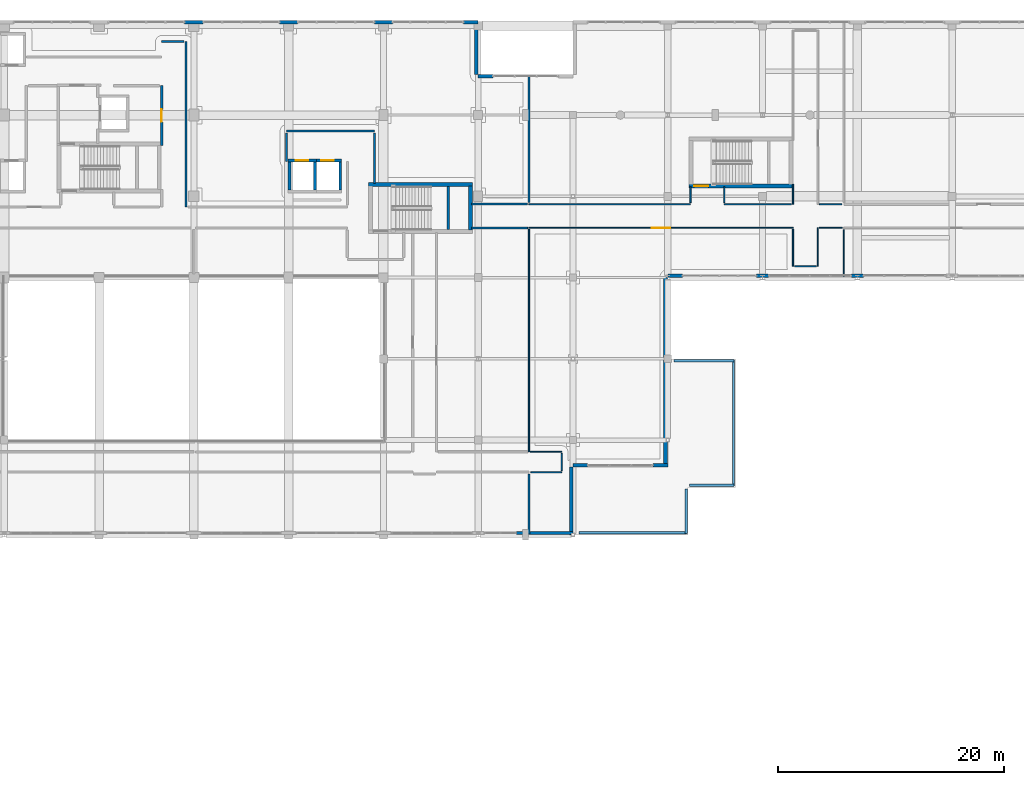
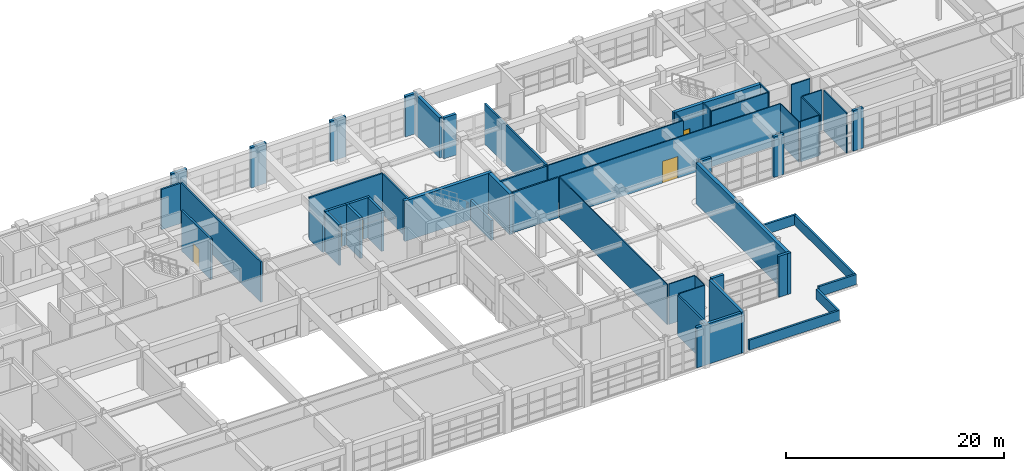
# One storey, part 110 of 123: 54 walls, 5 doors, 5 openings.
"""IFC4 building model written with IfcOpenShell, lengths in metres."""

from ifc_helpers import new_model, si_unit, direction, frame, frame_2d, origin, place, context, subcontext, project, spatial, rectangle, extrude, material, layer, layer_set, type_object, element, fill, save


model = new_model("IFC4")

# Units and contexts
model_context = context("Model", 3, precision=1e-05, world=origin(), true_north=direction((0.0, 1.0)))
body_context = subcontext(model_context, "Body", "Model", "MODEL_VIEW")
ifc_project = project(units=[si_unit("LENGTHUNIT", "METRE"), si_unit("AREAUNIT", "SQUARE_METRE"), si_unit("VOLUMEUNIT", "CUBIC_METRE"), si_unit("PLANEANGLEUNIT", "RADIAN"), si_unit("MASSUNIT", "GRAM", prefix="KILO")], contexts=[model_context])

# Site, building, storey
site_placement = place(None, origin())
site = spatial("IfcSite", under=ifc_project, at=site_placement, CompositionType="ELEMENT")
building_placement = place(site_placement, origin())
building = spatial("IfcBuilding", under=site, at=building_placement, Name="Quendrovan Civic Courthouse", CompositionType="ELEMENT")
storey_placement = place(building_placement, frame((0.0, 0.0, 5.39990234375)))
storey = spatial("IfcBuildingStorey", under=building, at=storey_placement, Name="L02", CompositionType="ELEMENT", Elevation=5.39990234375)

# Walls
ifc_material_1 = material(Name="Fire-rated gypsum stud partition")
ifc_layer_1 = layer(ifc_material_1, 0.159912109375, Name="Fire-rated gypsum stud partition")
ifc_layer_set_1 = layer_set([ifc_layer_1], Name="Fire-rated gypsum stud partition")
wall_type_1 = type_object("IfcWallType", Name="WL-COR-160", PredefinedType="PARTITIONING", material=ifc_layer_set_1)
wall_1_placement = place(storey_placement, frame((91.820068359375, 92.0, 0.0), z_axis=(0.0, 0.0, 1.0), x_axis=(1.0, 0.0, 0.0)))
element("IfcWall", 1, at=wall_1_placement, inside=storey, type_object=wall_type_1, Name="L02 Probate Case Registry Office Partition 0356", PredefinedType="PARTITIONING", context=body_context, shape_type="SweptSolid", body=[
    extrude(rectangle(XDim=4.949951171875, YDim=0.159912109375, at=frame_2d((2.47509765625, 0.0))), origin(), (0.0, 0.0, 1.0), 4.52001953125),
])
ifc_material_2 = material(Name="Concrete C45/55", Category="concrete")
ifc_layer_2 = layer(ifc_material_2, 0.35009765625, Name="Concrete C45/55")
ifc_layer_set_2 = layer_set([ifc_layer_2], Name="Concrete C45/55")
wall_type_2 = type_object("IfcWallType", Name="WL-CORE-350", PredefinedType="SHEAR", material=ifc_layer_set_2)
wall_2_placement = place(storey_placement, frame((91.909912109375, 95.8349609375, 0.0), z_axis=(0.0, 0.0, 1.0), x_axis=(-1.0, 0.0, 0.0)))
element("IfcWall", 2, at=wall_2_placement, inside=storey, type_object=wall_type_2, Name="L02 Core Shear Wall ST3-N", PredefinedType="SHEAR", context=body_context, shape_type="SweptSolid", body=[
    extrude(rectangle(XDim=9.219970703125, YDim=0.35009765625, at=frame_2d((4.60986328125, 0.0))), origin(), (0.0, 0.0, 1.0), 4.52001953125),
])
wall_3_placement = place(storey_placement, frame((91.735107421875, 95.699951171875, 0.0), z_axis=(0.0, 0.0, 1.0), x_axis=(0.0, -1.0, 0.0)))
element("IfcWall", 3, at=wall_3_placement, inside=storey, type_object=wall_type_2, Name="L02 Core Shear Wall ST3-E", PredefinedType="SHEAR", context=body_context, shape_type="SweptSolid", body=[
    extrude(rectangle(XDim=3.89990234375, YDim=0.35009765625, at=frame_2d((1.949951171875, 0.0))), origin(), (0.0, 0.0, 1.0), 4.52001953125),
])

# Wall, opening, door
wall_4_placement = place(storey_placement, frame((111.090087890625, 95.715087890625, 0.0), z_axis=(0.0, 0.0, 1.0), x_axis=(1.0, 0.0, 0.0)))
wall_4 = element("IfcWall", 4, at=wall_4_placement, inside=storey, type_object=wall_type_2, Name="L02 Core Shear Wall ST6-S", PredefinedType="SHEAR", context=body_context, shape_type="SweptSolid", body=[
    extrude(rectangle(XDim=9.219970703125, YDim=0.35009765625, at=frame_2d((4.60986328125, 0.0))), origin(), (0.0, 0.0, 1.0), 4.52001953125),
])
opening_1_placement = place(wall_4_placement, frame((0.449951171875, 0.0, 0.0)))
opening_1 = element("IfcOpeningElement", 5, at=opening_1_placement, cuts=wall_4, Name="Opening DS-ST6-L02", PredefinedType="OPENING", context=body_context, shape_type="SweptSolid", body=[
    extrude(rectangle(XDim=1.25, YDim=2.199951171875, at=frame_2d((0.625, 1.10009765625))), frame((0.0, 0.18505859375, 0.0), z_axis=(0.0, -1.0, 0.0), x_axis=(1.0, 0.0, 0.0)), (0.0, 0.0, 1.0), 0.3701171875),
])
ifc_material_3 = material(Name="Painted galvanized hollow-metal steel", Category="steel")
door_type_1 = type_object("IfcDoorType", Name="DR-STAIR-1250", OperationType="NOTDEFINED", PredefinedType="DOOR", material=ifc_material_3)
door_1_placement = place(opening_1_placement, origin())
door_1 = element("IfcDoor", 6, at=door_1_placement, inside=storey, type_object=door_type_1, Name="L02 Exit Stair ST6 Fire Door", OperationType="SINGLE_SWING_RIGHT", OverallHeight=2.199951171875, OverallWidth=1.25, PredefinedType="DOOR", context=body_context, shape_type="SweptSolid", body=[
    extrude(rectangle(XDim=1.25, YDim=2.199951171875, at=frame_2d((0.625, 1.10009765625))), frame((0.0, 0.02490234375, 0.0), z_axis=(0.0, -1.0, 0.0), x_axis=(1.0, 0.0, 0.0)), (0.0, 0.0, 1.0), 0.050048828125),
])
fill(opening_1, door_1)

# Walls
ifc_material_4 = material(Name="Acoustic gypsum and mineral wool partition")
ifc_layer_3 = layer(ifc_material_4, 0.179931640625, Name="Acoustic gypsum and mineral wool partition")
ifc_layer_set_3 = layer_set([ifc_layer_3], Name="Acoustic gypsum and mineral wool partition")
wall_type_3 = type_object("IfcWallType", Name="WL-CRT-AC180", PredefinedType="PARTITIONING", material=ifc_layer_set_3)
wall_5_placement = place(storey_placement, frame((66.5, 93.85009765625, 0.0), z_axis=(0.0, 0.0, 1.0), x_axis=(0.0, 1.0, 0.0)))
element("IfcWall", 7, at=wall_5_placement, inside=storey, type_object=wall_type_3, Name="L02 Trial Courtroom Partition 0320", PredefinedType="PARTITIONING", context=body_context, shape_type="SweptSolid", body=[
    extrude(rectangle(XDim=14.64990234375, YDim=0.179931640625, at=frame_2d((7.324951171875, 0.0))), origin(), (0.0, 0.0, 1.0), 4.52001953125),
])
wall_6_placement = place(storey_placement, frame((96.89990234375, 105.5400390625, 0.0), z_axis=(0.0, 0.0, 1.0), x_axis=(0.0, -1.0, 0.0)))
element("IfcWall", 8, at=wall_6_placement, inside=storey, type_object=wall_type_3, Name="L02 Trial Courtroom Partition 0331", PredefinedType="PARTITIONING", context=body_context, shape_type="SweptSolid", body=[
    extrude(rectangle(XDim=11.300048828125, YDim=0.179931640625, at=frame_2d((5.64990234375, 0.0))), origin(), (0.0, 0.0, 1.0), 4.52001953125),
])
wall_7_placement = place(storey_placement, frame((83.199951171875, 100.60009765625, 0.0), z_axis=(0.0, 0.0, 1.0), x_axis=(-1.0, 0.0, 0.0)))
element("IfcWall", 9, at=wall_7_placement, inside=storey, type_object=wall_type_3, Name="L02 Trial Courtroom Partition 0341", PredefinedType="PARTITIONING", context=body_context, shape_type="SweptSolid", body=[
    extrude(rectangle(XDim=7.800048828125, YDim=0.179931640625, at=frame_2d((3.89990234375, 0.0))), origin(), (0.0, 0.0, 1.0), 4.52001953125),
])
wall_8_placement = place(storey_placement, frame((96.89990234375, 70.179931640625, 0.0), z_axis=(0.0, 0.0, 1.0), x_axis=(0.0, -1.0, 0.0)))
element("IfcWall", 10, at=wall_8_placement, inside=storey, type_object=wall_type_3, Name="L02 Trial Courtroom Partition 0350", PredefinedType="PARTITIONING", context=body_context, shape_type="SweptSolid", body=[
    extrude(rectangle(XDim=5.31982421875, YDim=0.179931640625, at=frame_2d((2.659912109375, 0.0))), origin(), (0.0, 0.0, 1.0), 4.52001953125),
])
wall_9_placement = place(storey_placement, frame((96.760009765625, 94.10009765625, 0.0), z_axis=(0.0, 0.0, 1.0), x_axis=(-1.0, 0.0, 0.0)))
element("IfcWall", 11, at=wall_9_placement, inside=storey, type_object=wall_type_3, Name="L02 Trial Courtroom Partition 0355", PredefinedType="PARTITIONING", context=body_context, shape_type="SweptSolid", body=[
    extrude(rectangle(XDim=4.93994140625, YDim=0.179931640625, at=frame_2d((2.469970703125, 0.0))), origin(), (0.0, 0.0, 1.0), 4.52001953125),
])
wall_10_placement = place(storey_placement, frame((83.199951171875, 95.919921875, 0.0), z_axis=(0.0, 0.0, 1.0), x_axis=(0.0, 1.0, 0.0)))
element("IfcWall", 12, at=wall_10_placement, inside=storey, type_object=wall_type_3, Name="L02 Trial Courtroom Partition 0359", PredefinedType="PARTITIONING", context=body_context, shape_type="SweptSolid", body=[
    extrude(rectangle(XDim=4.510009765625, YDim=0.179931640625, at=frame_2d((2.2548828125, 0.0))), origin(), (0.0, 0.0, 1.0), 4.52001953125),
])
wall_11_placement = place(storey_placement, frame((75.39990234375, 100.429931640625, 0.0), z_axis=(0.0, 0.0, 1.0), x_axis=(0.0, -1.0, 0.0)))
element("IfcWall", 13, at=wall_11_placement, inside=storey, type_object=wall_type_3, Name="L02 Trial Courtroom Partition 0392", PredefinedType="PARTITIONING", context=body_context, shape_type="SweptSolid", body=[
    extrude(rectangle(XDim=2.530029296875, YDim=0.179931640625, at=frame_2d((1.26513671875, 0.0))), origin(), (0.0, 0.0, 1.0), 3.150146484375),
])
wall_12_placement = place(storey_placement, frame((66.330078125, 108.5, 0.0), z_axis=(0.0, 0.0, 1.0), x_axis=(-1.0, 0.0, 0.0)))
element("IfcWall", 14, at=wall_12_placement, inside=storey, type_object=wall_type_3, Name="L02 Trial Courtroom Partition 0402", PredefinedType="PARTITIONING", context=body_context, shape_type="SweptSolid", body=[
    extrude(rectangle(XDim=1.97998046875, YDim=0.179931640625, at=frame_2d((0.989990234375, 0.0))), origin(), (0.0, 0.0, 1.0), 4.52001953125),
])

# Wall, opening, door
ifc_material_5 = material(Name="Concrete C40/50", Category="concrete")
ifc_layer_4 = layer(ifc_material_5, 0.199951171875, Name="Concrete C40/50")
ifc_layer_set_4 = layer_set([ifc_layer_4], Name="Concrete C40/50")
wall_type_4 = type_object("IfcWallType", Name="WL-CUST-200", PredefinedType="PARTITIONING", material=ifc_layer_set_4)
wall_13_placement = place(storey_placement, frame((64.35009765625, 104.60009765625, 0.0), z_axis=(0.0, 0.0, 1.0), x_axis=(0.0, -1.0, 0.0)))
wall_13 = element("IfcWall", 15, at=wall_13_placement, inside=storey, type_object=wall_type_4, Name="L02 Case Docketing and Clerk Suite Partition 0334", PredefinedType="PARTITIONING", context=body_context, shape_type="SweptSolid", body=[
    extrude(rectangle(XDim=5.300048828125, YDim=0.199951171875, at=frame_2d((2.64990234375, 0.0))), origin(), (0.0, 0.0, 1.0), 4.52001953125),
])
opening_2_placement = place(wall_13_placement, frame((2.090087890625, 0.0, 0.0)))
opening_2 = element("IfcOpeningElement", 16, at=opening_2_placement, cuts=wall_13, Name="Opening D-L02-055", PredefinedType="OPENING", context=body_context, shape_type="SweptSolid", body=[
    extrude(rectangle(XDim=1.1201171875, YDim=2.14990234375, at=frame_2d((0.56005859375, 1.074951171875))), frame((0.0, 0.10986328125, 0.0), z_axis=(0.0, -1.0, 0.0), x_axis=(1.0, 0.0, 0.0)), (0.0, 0.0, 1.0), 0.219970703125),
])
ifc_material_6 = material(Name="Heavy-gauge security steel door", Category="steel")
door_type_2 = type_object("IfcDoorType", Name="DR-CUST-1120", OperationType="NOTDEFINED", PredefinedType="DOOR", material=ifc_material_6)
door_2_placement = place(opening_2_placement, origin())
door_2 = element("IfcDoor", 17, at=door_2_placement, inside=storey, type_object=door_type_2, Name="L02 Case Docketing and Clerk Suite Door D-L02-055", OperationType="SINGLE_SWING_RIGHT", OverallHeight=2.14990234375, OverallWidth=1.1201171875, PredefinedType="DOOR", context=body_context, shape_type="SweptSolid", body=[
    extrude(rectangle(XDim=1.1201171875, YDim=2.14990234375, at=frame_2d((0.56005859375, 1.074951171875))), frame((0.0, 0.02490234375, 0.0), z_axis=(0.0, -1.0, 0.0), x_axis=(1.0, 0.0, 0.0)), (0.0, 0.0, 1.0), 0.050048828125),
])
fill(opening_2, door_2)

# Walls
ifc_material_7 = material(Name="Precast concrete C45/55", Category="concrete")
ifc_layer_5 = layer(ifc_material_7, 0.2900390625, Name="Precast concrete C45/55")
ifc_layer_set_5 = layer_set([ifc_layer_5], Name="Precast concrete C45/55")
wall_type_5 = type_object("IfcWallType", Name="WL-EXT-PC290", PredefinedType="SOLIDWALL", material=ifc_layer_set_5)
wall_14_placement = place(storey_placement, frame((66.375, 110.235107421875, 0.0), z_axis=(0.0, 0.0, 1.0), x_axis=(1.0, 0.0, 0.0)))
element("IfcWall", 18, at=wall_14_placement, inside=storey, type_object=wall_type_5, Name="L02 Exterior Pier Wall 206", PredefinedType="SOLIDWALL", context=body_context, shape_type="SweptSolid", body=[
    extrude(rectangle(XDim=1.64990234375, YDim=0.2900390625, at=frame_2d((0.824951171875, 0.0))), origin(), (0.0, 0.0, 1.0), 4.52001953125),
])
wall_15_placement = place(storey_placement, frame((74.800048828125, 110.235107421875, 0.0), z_axis=(0.0, 0.0, 1.0), x_axis=(1.0, 0.0, 0.0)))
element("IfcWall", 19, at=wall_15_placement, inside=storey, type_object=wall_type_5, Name="L02 Exterior Pier Wall 207", PredefinedType="SOLIDWALL", context=body_context, shape_type="SweptSolid", body=[
    extrude(rectangle(XDim=1.599853515625, YDim=0.2900390625, at=frame_2d((0.7998046875, 0.0))), origin(), (0.0, 0.0, 1.0), 4.52001953125),
])
wall_16_placement = place(storey_placement, frame((83.199951171875, 110.235107421875, 0.0), z_axis=(0.0, 0.0, 1.0), x_axis=(1.0, 0.0, 0.0)))
element("IfcWall", 20, at=wall_16_placement, inside=storey, type_object=wall_type_5, Name="L02 Exterior Pier Wall 208", PredefinedType="SOLIDWALL", context=body_context, shape_type="SweptSolid", body=[
    extrude(rectangle(XDim=1.60009765625, YDim=0.2900390625, at=frame_2d((0.800048828125, 0.0))), origin(), (0.0, 0.0, 1.0), 4.52001953125),
])
wall_17_placement = place(storey_placement, frame((91.10009765625, 110.235107421875, 0.0), z_axis=(0.0, 0.0, 1.0), x_axis=(1.0, 0.0, 0.0)))
element("IfcWall", 21, at=wall_17_placement, inside=storey, type_object=wall_type_5, Name="L02 Exterior Pier Wall 209", PredefinedType="SOLIDWALL", context=body_context, shape_type="SweptSolid", body=[
    extrude(rectangle(XDim=1.2998046875, YDim=0.2900390625, at=frame_2d((0.64990234375, 0.0))), origin(), (0.0, 0.0, 1.0), 4.52001953125),
])
wall_18_placement = place(storey_placement, frame((92.235107421875, 110.39990234375, 0.0), z_axis=(0.0, 0.0, 1.0), x_axis=(0.0, -1.0, 0.0)))
element("IfcWall", 22, at=wall_18_placement, inside=storey, type_object=wall_type_5, Name="L02 Exterior Civic Portal Wall 210", PredefinedType="SOLIDWALL", context=body_context, shape_type="SweptSolid", body=[
    extrude(rectangle(XDim=4.7998046875, YDim=0.2900390625, at=frame_2d((2.39990234375, 0.0))), origin(), (0.0, 0.0, 1.0), 4.52001953125),
])
wall_19_placement = place(storey_placement, frame((92.39990234375, 105.43505859375, 0.0), z_axis=(0.0, 0.0, 1.0), x_axis=(1.0, 0.0, 0.0)))
element("IfcWall", 23, at=wall_19_placement, inside=storey, type_object=wall_type_5, Name="L02 Exterior Pier Wall 211", PredefinedType="SOLIDWALL", context=body_context, shape_type="SweptSolid", body=[
    extrude(rectangle(XDim=1.300048828125, YDim=0.2900390625, at=frame_2d((0.64990234375, 0.0))), origin(), (0.0, 0.0, 1.0), 4.580078125),
])
wall_20_placement = place(storey_placement, frame((126.537109375, 87.764892578125, 0.0), z_axis=(0.0, 0.0, 1.0), x_axis=(-1.0, 0.0, 0.0)))
element("IfcWall", 24, at=wall_20_placement, inside=storey, type_object=wall_type_5, Name="L02 Exterior Pier Wall 230", PredefinedType="SOLIDWALL", context=body_context, shape_type="SweptSolid", body=[
    extrude(rectangle(XDim=1.07421875, YDim=0.2900390625, at=frame_2d((0.537109375, 0.0))), origin(), (0.0, 0.0, 1.0), 4.52001953125),
])
wall_21_placement = place(storey_placement, frame((118.136962890625, 87.764892578125, 0.0), z_axis=(0.0, 0.0, 1.0), x_axis=(-1.0, 0.0, 0.0)))
element("IfcWall", 25, at=wall_21_placement, inside=storey, type_object=wall_type_5, Name="L02 Exterior Pier Wall 231", PredefinedType="SOLIDWALL", context=body_context, shape_type="SweptSolid", body=[
    extrude(rectangle(XDim=1.073974609375, YDim=0.2900390625, at=frame_2d((0.537109375, 0.0))), origin(), (0.0, 0.0, 1.0), 4.52001953125),
])
wall_22_placement = place(storey_placement, frame((110.5, 87.764892578125, 0.0), z_axis=(0.0, 0.0, 1.0), x_axis=(-1.0, 0.0, 0.0)))
element("IfcWall", 26, at=wall_22_placement, inside=storey, type_object=wall_type_5, Name="L02 Exterior Pier Wall 232", PredefinedType="SOLIDWALL", context=body_context, shape_type="SweptSolid", body=[
    extrude(rectangle(XDim=1.300048828125, YDim=0.2900390625, at=frame_2d((0.64990234375, 0.0))), origin(), (0.0, 0.0, 1.0), 4.52001953125),
])
for number, where, z_axis, x_axis, name in (
    (27, (109.199951171875, 70.965087890625, 0.0), (0.0, 0.0, 1.0), (-1.0, 0.0, 0.0), "L02 Exterior Pier Wall 234"),
    (28, (102.10009765625, 70.965087890625, 0.0), (0.0, 0.0, 1.0), (-1.0, 0.0, 0.0), "L02 Exterior Pier Wall 235"),
):
    element("IfcWall", number, at=place(storey_placement, frame(where, z_axis=z_axis, x_axis=x_axis)), inside=storey, type_object=wall_type_5, Name=name, PredefinedType="SOLIDWALL", context=body_context, shape_type="SweptSolid", body=[
        extrude(rectangle(XDim=1.300048828125, YDim=0.2900390625, at=frame_2d((0.64990234375, 0.0))), origin(), (0.0, 0.0, 1.0), 4.580078125),
    ])
wall_23_placement = place(storey_placement, frame((100.635009765625, 70.800048828125, 0.0), z_axis=(0.0, 0.0, 1.0), x_axis=(0.0, -1.0, 0.0)))
element("IfcWall", 29, at=wall_23_placement, inside=storey, type_object=wall_type_5, Name="L02 Exterior Civic Portal Wall 236", PredefinedType="SOLIDWALL", context=body_context, shape_type="SweptSolid", body=[
    extrude(rectangle(XDim=6.0, YDim=0.2900390625, at=frame_2d((3.0, 0.0))), origin(), (0.0, 0.0, 1.0), 4.580078125),
])
wall_24_placement = place(storey_placement, frame((100.800048828125, 64.965087890625, 0.0), z_axis=(0.0, 0.0, 1.0), x_axis=(-1.0, 0.0, 0.0)))
element("IfcWall", 30, at=wall_24_placement, inside=storey, type_object=wall_type_5, Name="L02 Exterior Pier Wall 237", PredefinedType="SOLIDWALL", context=body_context, shape_type="SweptSolid", body=[
    extrude(rectangle(XDim=5.025146484375, YDim=0.2900390625, at=frame_2d((2.5126953125, 0.0))), origin(), (0.0, 0.0, 1.0), 4.52001953125),
])

# Wall, opening, door
ifc_material_8 = material(Name="Lightweight gypsum partition")
ifc_layer_6 = layer(ifc_material_8, 0.10009765625, Name="Lightweight gypsum partition")
ifc_layer_set_6 = layer_set([ifc_layer_6], Name="Lightweight gypsum partition")
wall_type_6 = type_object("IfcWallType", Name="WL-INT-100", PredefinedType="PARTITIONING", material=ifc_layer_set_6)
wall_25_placement = place(storey_placement, frame((96.89990234375, 92.0, 0.0), z_axis=(0.0, 0.0, 1.0), x_axis=(1.0, 0.0, 0.0)))
wall_25 = element("IfcWall", 31, at=wall_25_placement, inside=storey, type_object=wall_type_6, Name="L02 Public Hall Upper Waiting Gallery Partition 0295", PredefinedType="PARTITIONING", context=body_context, shape_type="SweptSolid", body=[
    extrude(rectangle(XDim=23.400146484375, YDim=0.10009765625, at=frame_2d((11.7001953125, 0.0))), origin(), (0.0, 0.0, 1.0), 4.52001953125),
])
opening_3_placement = place(wall_25_placement, frame((10.8798828125, 0.0, 0.0)))
opening_3 = element("IfcOpeningElement", 32, at=opening_3_placement, cuts=wall_25, Name="Opening D-L02-048", PredefinedType="OPENING", context=body_context, shape_type="SweptSolid", body=[
    extrude(rectangle(XDim=1.639892578125, YDim=2.419921875, at=frame_2d((0.81982421875, 1.2099609375))), frame((0.0, 0.06005859375, 0.0), z_axis=(0.0, -1.0, 0.0), x_axis=(1.0, 0.0, 0.0)), (0.0, 0.0, 1.0), 0.1201171875),
])
ifc_material_9 = material(Name="Bronze-anodised aluminium glazed door", Category="aluminium")
door_type_3 = type_object("IfcDoorType", Name="DR-REG-1640", OperationType="NOTDEFINED", PredefinedType="DOOR", material=ifc_material_9)
door_3_placement = place(opening_3_placement, origin())
door_3 = element("IfcDoor", 33, at=door_3_placement, inside=storey, type_object=door_type_3, Name="L02 Public Hall Upper Waiting Gallery Door D-L02-048", OperationType="SINGLE_SWING_LEFT", OverallHeight=2.419921875, OverallWidth=1.639892578125, PredefinedType="DOOR", context=body_context, shape_type="SweptSolid", body=[
    extrude(rectangle(XDim=1.639892578125, YDim=2.419921875, at=frame_2d((0.81982421875, 1.2099609375))), frame((0.0, 0.02490234375, 0.0), z_axis=(0.0, -1.0, 0.0), x_axis=(1.0, 0.0, 0.0)), (0.0, 0.0, 1.0), 0.050048828125),
])
fill(opening_3, door_3)

# Walls
wall_26_placement = place(storey_placement, frame((96.89990234375, 72.14990234375, 0.0), z_axis=(0.0, 0.0, 1.0), x_axis=(0.0, 1.0, 0.0)))
element("IfcWall", 34, at=wall_26_placement, inside=storey, type_object=wall_type_6, Name="L02 Public Hall Upper Waiting Gallery Partition 0304", PredefinedType="PARTITIONING", context=body_context, shape_type="SweptSolid", body=[
    extrude(rectangle(XDim=19.72021484375, YDim=0.10009765625, at=frame_2d((9.860107421875, 0.0))), origin(), (0.0, 0.0, 1.0), 4.52001953125),
])
wall_27_placement = place(storey_placement, frame((124.800048828125, 91.85009765625, 0.0), z_axis=(0.0, 0.0, 1.0), x_axis=(0.0, -1.0, 0.0)))
element("IfcWall", 35, at=wall_27_placement, inside=storey, type_object=wall_type_6, Name="L02 Public Hall Upper Waiting Gallery Partition 0361", PredefinedType="PARTITIONING", context=body_context, shape_type="SweptSolid", body=[
    extrude(rectangle(XDim=4.190185546875, YDim=0.10009765625, at=frame_2d((2.09521484375, 0.0))), origin(), (0.0, 0.0, 1.0), 4.52001953125),
])
wall_28_placement = place(storey_placement, frame((120.300048828125, 91.8701171875, 0.0), z_axis=(0.0, 0.0, 1.0), x_axis=(0.0, -1.0, 0.0)))
element("IfcWall", 36, at=wall_28_placement, inside=storey, type_object=wall_type_6, Name="L02 Public Hall Upper Waiting Gallery Partition 0373", PredefinedType="PARTITIONING", context=body_context, shape_type="SweptSolid", body=[
    extrude(rectangle(XDim=3.27001953125, YDim=0.10009765625, at=frame_2d((1.635009765625, 0.0))), origin(), (0.0, 0.0, 1.0), 4.52001953125),
])
wall_29_placement = place(storey_placement, frame((122.5, 88.60009765625, 0.0), z_axis=(0.0, 0.0, 1.0), x_axis=(0.0, 1.0, 0.0)))
element("IfcWall", 37, at=wall_29_placement, inside=storey, type_object=wall_type_6, Name="L02 Public Hall Upper Waiting Gallery Partition 0374", PredefinedType="PARTITIONING", context=body_context, shape_type="SweptSolid", body=[
    extrude(rectangle(XDim=3.39990234375, YDim=0.10009765625, at=frame_2d((1.699951171875, 0.0))), origin(), (0.0, 0.0, 1.0), 4.52001953125),
])
wall_30_placement = place(storey_placement, frame((97.070068359375, 70.35009765625, 0.0), z_axis=(0.0, 0.0, 1.0), x_axis=(1.0, 0.0, 0.0)))
element("IfcWall", 38, at=wall_30_placement, inside=storey, type_object=wall_type_6, Name="L02 Public Hall Upper Waiting Gallery Partition 0383", PredefinedType="PARTITIONING", context=body_context, shape_type="SweptSolid", body=[
    extrude(rectangle(XDim=2.72998046875, YDim=0.10009765625, at=frame_2d((1.364990234375, 0.0))), origin(), (0.0, 0.0, 1.0), 4.52001953125),
])
wall_31_placement = place(storey_placement, frame((99.800048828125, 72.14990234375, 0.0), z_axis=(0.0, 0.0, 1.0), x_axis=(-1.0, 0.0, 0.0)))
element("IfcWall", 39, at=wall_31_placement, inside=storey, type_object=wall_type_6, Name="L02 Public Hall Upper Waiting Gallery Partition 0384", PredefinedType="PARTITIONING", context=body_context, shape_type="SweptSolid", body=[
    extrude(rectangle(XDim=2.77001953125, YDim=0.10009765625, at=frame_2d((1.385009765625, 0.0))), origin(), (0.0, 0.0, 1.0), 4.52001953125),
])
wall_32_placement = place(storey_placement, frame((122.6298828125, 92.0, 0.0), z_axis=(0.0, 0.0, 1.0), x_axis=(1.0, 0.0, 0.0)))
element("IfcWall", 40, at=wall_32_placement, inside=storey, type_object=wall_type_6, Name="L02 Public Hall Upper Waiting Gallery Partition 0396", PredefinedType="PARTITIONING", context=body_context, shape_type="SweptSolid", body=[
    extrude(rectangle(XDim=2.02001953125, YDim=0.10009765625, at=frame_2d((1.010009765625, 0.0))), origin(), (0.0, 0.0, 1.0), 4.52001953125),
])
wall_33_placement = place(storey_placement, frame((120.429931640625, 88.60009765625, 0.0), z_axis=(0.0, 0.0, 1.0), x_axis=(1.0, 0.0, 0.0)))
element("IfcWall", 41, at=wall_33_placement, inside=storey, type_object=wall_type_6, Name="L02 Public Hall Upper Waiting Gallery Partition 0398", PredefinedType="PARTITIONING", context=body_context, shape_type="SweptSolid", body=[
    extrude(rectangle(XDim=1.940185546875, YDim=0.10009765625, at=frame_2d((0.97021484375, 0.0))), origin(), (0.0, 0.0, 1.0), 4.52001953125),
])
wall_34_placement = place(storey_placement, frame((99.800048828125, 70.47998046875, 0.0), z_axis=(0.0, 0.0, 1.0), x_axis=(0.0, 1.0, 0.0)))
element("IfcWall", 42, at=wall_34_placement, inside=storey, type_object=wall_type_6, Name="L02 Public Hall Upper Waiting Gallery Partition 0411", PredefinedType="PARTITIONING", context=body_context, shape_type="SweptSolid", body=[
    extrude(rectangle(XDim=1.5400390625, YDim=0.10009765625, at=frame_2d((0.77001953125, 0.0))), origin(), (0.0, 0.0, 1.0), 4.52001953125),
])
ifc_material_10 = material(Name="Acoustic glazed-head stud partition")
ifc_layer_7 = layer(ifc_material_10, 0.1201171875, Name="Acoustic glazed-head stud partition")
ifc_layer_set_7 = layer_set([ifc_layer_7], Name="Acoustic glazed-head stud partition")
wall_type_7 = type_object("IfcWallType", Name="WL-LIB-120", PredefinedType="PARTITIONING", material=ifc_layer_set_7)
wall_35_placement = place(storey_placement, frame((120.300048828125, 95.85009765625, 0.0), z_axis=(0.0, 0.0, 1.0), x_axis=(0.0, -1.0, 0.0)))
element("IfcWall", 43, at=wall_35_placement, inside=storey, type_object=wall_type_7, Name="L02 Constitutional Records Archive Partition 0319", PredefinedType="PARTITIONING", context=body_context, shape_type="SweptSolid", body=[
    extrude(rectangle(XDim=1.75, YDim=0.1201171875, at=frame_2d((0.875, 0.0))), origin(), (0.0, 0.0, 1.0), 4.52001953125),
])
wall_36_placement = place(storey_placement, frame((111.199951171875, 94.10009765625, 0.0), z_axis=(0.0, 0.0, 1.0), x_axis=(-1.0, 0.0, 0.0)))
element("IfcWall", 44, at=wall_36_placement, inside=storey, type_object=wall_type_7, Name="L02 Constitutional Records Archive Partition 0326", PredefinedType="PARTITIONING", context=body_context, shape_type="SweptSolid", body=[
    extrude(rectangle(XDim=14.300048828125, YDim=0.1201171875, at=frame_2d((7.14990234375, 0.0))), origin(), (0.0, 0.0, 1.0), 4.52001953125),
])
wall_37_placement = place(storey_placement, frame((120.159912109375, 94.10009765625, 0.0), z_axis=(0.0, 0.0, 1.0), x_axis=(-1.0, 0.0, 0.0)))
element("IfcWall", 45, at=wall_37_placement, inside=storey, type_object=wall_type_7, Name="L02 Constitutional Records Archive Partition 0348", PredefinedType="PARTITIONING", context=body_context, shape_type="SweptSolid", body=[
    extrude(rectangle(XDim=5.9599609375, YDim=0.1201171875, at=frame_2d((2.97998046875, 0.0))), origin(), (0.0, 0.0, 1.0), 4.52001953125),
])
wall_38_placement = place(storey_placement, frame((124.6201171875, 94.10009765625, 0.0), z_axis=(0.0, 0.0, 1.0), x_axis=(-1.0, 0.0, 0.0)))
element("IfcWall", 46, at=wall_38_placement, inside=storey, type_object=wall_type_7, Name="L02 Constitutional Records Archive Partition 0397", PredefinedType="PARTITIONING", context=body_context, shape_type="SweptSolid", body=[
    extrude(rectangle(XDim=1.980224609375, YDim=0.1201171875, at=frame_2d((0.990234375, 0.0))), origin(), (0.0, 0.0, 1.0), 4.52001953125),
])
for number, where, z_axis, x_axis, name in (
    (47, (114.199951171875, 94.239990234375, 0.0), (0.0, 0.0, 1.0), (0.0, 1.0, 0.0), "L02 Constitutional Records Archive Partition 0412"),
    (48, (111.199951171875, 95.6298828125, 0.0), (0.0, 0.0, 1.0), (0.0, -1.0, 0.0), "L02 Constitutional Records Archive Partition 0413"),
):
    element("IfcWall", number, at=place(storey_placement, frame(where, z_axis=z_axis, x_axis=x_axis)), inside=storey, type_object=wall_type_7, Name=name, PredefinedType="PARTITIONING", context=body_context, shape_type="SweptSolid", body=[
        extrude(rectangle(XDim=1.389892578125, YDim=0.1201171875, at=frame_2d((0.69482421875, 0.0))), origin(), (0.0, 0.0, 1.0), 4.52001953125),
    ])
ifc_layer_8 = layer(ifc_material_7, 0.2099609375, Name="Precast concrete C45/55")
ifc_layer_set_8 = layer_set([ifc_layer_8], Name="Precast concrete C45/55")
wall_type_8 = type_object("IfcWallType", Name="WL-PARAPET-210", PredefinedType="PARAPET", material=ifc_layer_set_8)
wall_39_placement = place(storey_placement, frame((115.02001953125, 80.280029296875, 0.0), z_axis=(0.0, 0.0, 1.0), x_axis=(0.0, -1.0, 0.0)))
element("IfcWall", 49, at=wall_39_placement, inside=storey, type_object=wall_type_8, Name="L02 Precast Roof Parapet Wall 16", PredefinedType="PARAPET", context=body_context, shape_type="SweptSolid", body=[
    extrude(rectangle(XDim=11.159912109375, YDim=0.2099609375, at=frame_2d((5.580078125, 0.0))), origin(), (0.0, 0.0, 1.0), 1.1201171875),
])
for number, where, z_axis, x_axis, name in (
    (50, (115.080078125, 69.179931640625, 0.0), (0.0, 0.0, 1.0), (-1.0, 0.0, 0.0), "L02 Precast Roof Parapet Wall 17"),
    (51, (110.820068359375, 68.8798828125, 0.0), (0.0, 0.0, 1.0), (0.0, -1.0, 0.0), "L02 Precast Roof Parapet Wall 18"),
):
    element("IfcWall", number, at=place(storey_placement, frame(where, z_axis=z_axis, x_axis=x_axis)), inside=storey, type_object=wall_type_8, Name=name, PredefinedType="PARAPET", context=body_context, shape_type="SweptSolid", body=[
        extrude(rectangle(XDim=3.9599609375, YDim=0.2099609375, at=frame_2d((1.97998046875, 0.0))), origin(), (0.0, 0.0, 1.0), 1.1201171875),
    ])
wall_40_placement = place(storey_placement, frame((110.8798828125, 64.97998046875, 0.0), z_axis=(0.0, 0.0, 1.0), x_axis=(-1.0, 0.0, 0.0)))
element("IfcWall", 52, at=wall_40_placement, inside=storey, type_object=wall_type_8, Name="L02 Precast Roof Parapet Wall 19", PredefinedType="PARAPET", context=body_context, shape_type="SweptSolid", body=[
    extrude(rectangle(XDim=9.539794921875, YDim=0.2099609375, at=frame_2d((4.77001953125, 0.0))), origin(), (0.0, 0.0, 1.0), 1.1201171875),
])
wall_41_placement = place(storey_placement, frame((109.739990234375, 80.219970703125, 0.0), z_axis=(0.0, 0.0, 1.0), x_axis=(1.0, 0.0, 0.0)))
element("IfcWall", 53, at=wall_41_placement, inside=storey, type_object=wall_type_8, Name="L02 Precast Roof Parapet Wall 20", PredefinedType="PARAPET", context=body_context, shape_type="SweptSolid", body=[
    extrude(rectangle(XDim=5.340087890625, YDim=0.2099609375, at=frame_2d((2.669921875, 0.0))), origin(), (0.0, 0.0, 1.0), 1.1201171875),
])
ifc_layer_9 = layer(ifc_material_5, 0.360107421875, Name="Concrete C40/50")
ifc_layer_set_9 = layer_set([ifc_layer_9], Name="Concrete C40/50")
wall_type_9 = type_object("IfcWallType", Name="WL-PARTY-360", PredefinedType="SOLIDWALL", material=ifc_layer_set_9)
wall_42_placement = place(storey_placement, frame((109.0, 87.60009765625, 0.0), z_axis=(0.0, 0.0, 1.0), x_axis=(0.0, -1.0, 0.0)))
element("IfcWall", 54, at=wall_42_placement, inside=storey, type_object=wall_type_9, Name="L02 Fire-Rated Boundary Party Wall 233", PredefinedType="SOLIDWALL", context=body_context, shape_type="SweptSolid", body=[
    extrude(rectangle(XDim=16.800048828125, YDim=0.360107421875, at=frame_2d((8.39990234375, 0.0))), origin(), (0.0, 0.0, 1.0), 4.580078125),
])
ifc_layer_10 = layer(ifc_material_2, 0.25, Name="Concrete C45/55")
ifc_layer_set_10 = layer_set([ifc_layer_10], Name="Concrete C45/55")
wall_type_10 = type_object("IfcWallType", Name="WL-SHAFT-250", PredefinedType="SHEAR", material=ifc_layer_set_10)
wall_43_placement = place(storey_placement, frame((89.75, 91.85009765625, 0.0), z_axis=(0.0, 0.0, 1.0), x_axis=(0.0, 1.0, 0.0)))
element("IfcWall", 55, at=wall_43_placement, inside=storey, type_object=wall_type_10, Name="L02 Stair ST3 Mid-Landing Bearing Wall", PredefinedType="SHEAR", context=body_context, shape_type="SweptSolid", body=[
    extrude(rectangle(XDim=3.7998046875, YDim=0.25, at=frame_2d((1.89990234375, 0.0))), origin(), (0.0, 0.0, 1.0), 2.22021484375),
])

# Wall, opening, door
wall_44_placement = place(storey_placement, frame((78.050048828125, 97.97509765625, 0.0), z_axis=(0.0, 0.0, 1.0), x_axis=(-1.0, 0.0, 0.0)))
wall_44 = element("IfcWall", 56, at=wall_44_placement, inside=storey, type_object=wall_type_10, Name="L02 Lift Hoistway Wall PL1 +Y", PredefinedType="SHEAR", context=body_context, shape_type="SweptSolid", body=[
    extrude(rectangle(XDim=2.5, YDim=0.25, at=frame_2d((1.25, 0.0))), origin(), (0.0, 0.0, 1.0), 4.52001953125),
])
opening_4_placement = place(wall_44_placement, frame((0.699951171875, 0.0, 0.0)))
opening_4 = element("IfcOpeningElement", 57, at=opening_4_placement, cuts=wall_44, Name="Opening LD-PL1-L02", PredefinedType="OPENING", context=body_context, shape_type="SweptSolid", body=[
    extrude(rectangle(XDim=1.10009765625, YDim=2.199951171875, at=frame_2d((0.550048828125, 1.10009765625))), frame((0.0, 0.135009765625, 0.0), z_axis=(0.0, -1.0, 0.0), x_axis=(1.0, 0.0, 0.0)), (0.0, 0.0, 1.0), 0.27001953125),
])
ifc_material_11 = material(Name="Brushed bronze-anodised stainless steel", Category="steel")
door_type_4 = type_object("IfcDoorType", Name="DR-LIFT-LD-PL", OperationType="NOTDEFINED", PredefinedType="DOOR", material=ifc_material_11)
door_4_placement = place(opening_4_placement, origin())
door_4 = element("IfcDoor", 58, at=door_4_placement, inside=storey, type_object=door_type_4, Name="L02 Lift PL1 Sliding Landing Door", OperationType="SLIDING_TO_LEFT", OverallHeight=2.199951171875, OverallWidth=1.10009765625, PredefinedType="DOOR", context=body_context, shape_type="SweptSolid", body=[
    extrude(rectangle(XDim=1.10009765625, YDim=2.199951171875, at=frame_2d((0.550048828125, 1.10009765625))), frame((0.0, 0.02490234375, 0.0), z_axis=(0.0, -1.0, 0.0), x_axis=(1.0, 0.0, 0.0)), (0.0, 0.0, 1.0), 0.050048828125),
])
fill(opening_4, door_4)

# Walls
for number, where, z_axis, x_axis, name in (
    (59, (75.675048828125, 95.35009765625, 0.0), (0.0, 0.0, 1.0), (0.0, 1.0, 0.0), "L02 Lift Hoistway Wall PL1 -X"),
    (60, (77.925048828125, 97.85009765625, 0.0), (0.0, 0.0, 1.0), (0.0, -1.0, 0.0), "L02 Lift Hoistway Wall PL1 +X"),
):
    element("IfcWall", number, at=place(storey_placement, frame(where, z_axis=z_axis, x_axis=x_axis)), inside=storey, type_object=wall_type_10, Name=name, PredefinedType="SHEAR", context=body_context, shape_type="SweptSolid", body=[
        extrude(rectangle(XDim=2.5, YDim=0.25, at=frame_2d((1.25, 0.0))), origin(), (0.0, 0.0, 1.0), 4.52001953125),
    ])

# Wall, opening, door
wall_45_placement = place(storey_placement, frame((80.300048828125, 97.97509765625, 0.0), z_axis=(0.0, 0.0, 1.0), x_axis=(-1.0, 0.0, 0.0)))
wall_45 = element("IfcWall", 61, at=wall_45_placement, inside=storey, type_object=wall_type_10, Name="L02 Lift Hoistway Wall PL2 +Y", PredefinedType="SHEAR", context=body_context, shape_type="SweptSolid", body=[
    extrude(rectangle(XDim=2.5, YDim=0.25, at=frame_2d((1.25, 0.0))), origin(), (0.0, 0.0, 1.0), 4.52001953125),
])
opening_5_placement = place(wall_45_placement, frame((0.699951171875, 0.0, 0.0)))
opening_5 = element("IfcOpeningElement", 62, at=opening_5_placement, cuts=wall_45, Name="Opening LD-PL2-L02", PredefinedType="OPENING", context=body_context, shape_type="SweptSolid", body=[
    extrude(rectangle(XDim=1.10009765625, YDim=2.199951171875, at=frame_2d((0.550048828125, 1.10009765625))), frame((0.0, 0.135009765625, 0.0), z_axis=(0.0, -1.0, 0.0), x_axis=(1.0, 0.0, 0.0)), (0.0, 0.0, 1.0), 0.27001953125),
])
door_5_placement = place(opening_5_placement, origin())
door_5 = element("IfcDoor", 63, at=door_5_placement, inside=storey, type_object=door_type_4, Name="L02 Lift PL2 Sliding Landing Door", OperationType="SLIDING_TO_LEFT", OverallHeight=2.199951171875, OverallWidth=1.10009765625, PredefinedType="DOOR", context=body_context, shape_type="SweptSolid", body=[
    extrude(rectangle(XDim=1.10009765625, YDim=2.199951171875, at=frame_2d((0.550048828125, 1.10009765625))), frame((0.0, 0.02490234375, 0.0), z_axis=(0.0, -1.0, 0.0), x_axis=(1.0, 0.0, 0.0)), (0.0, 0.0, 1.0), 0.050048828125),
])
fill(opening_5, door_5)

# Wall
wall_46_placement = place(storey_placement, frame((80.175048828125, 97.85009765625, 0.0), z_axis=(0.0, 0.0, 1.0), x_axis=(0.0, -1.0, 0.0)))
element("IfcWall", 64, at=wall_46_placement, inside=storey, type_object=wall_type_10, Name="L02 Lift Hoistway Wall PL2 +X", PredefinedType="SHEAR", context=body_context, shape_type="SweptSolid", body=[
    extrude(rectangle(XDim=2.5, YDim=0.25, at=frame_2d((1.25, 0.0))), origin(), (0.0, 0.0, 1.0), 4.52001953125),
])

save(model, "model.ifc")
